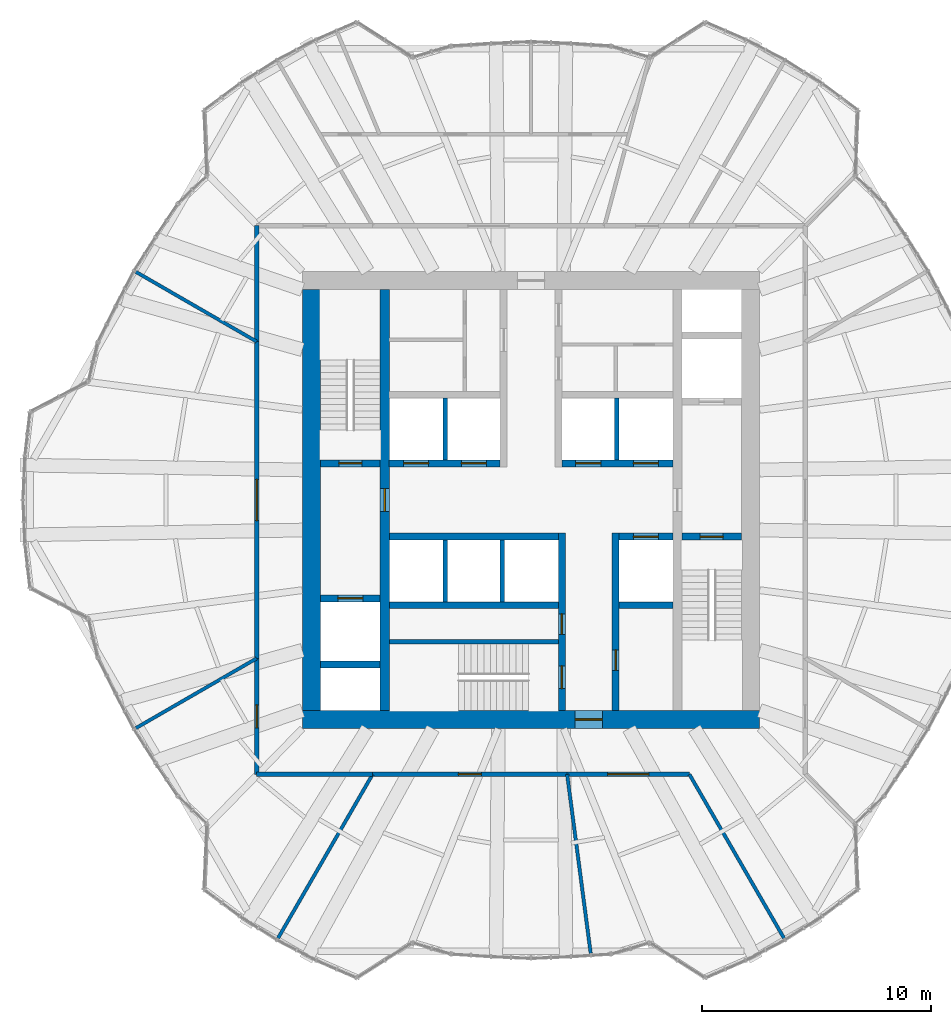
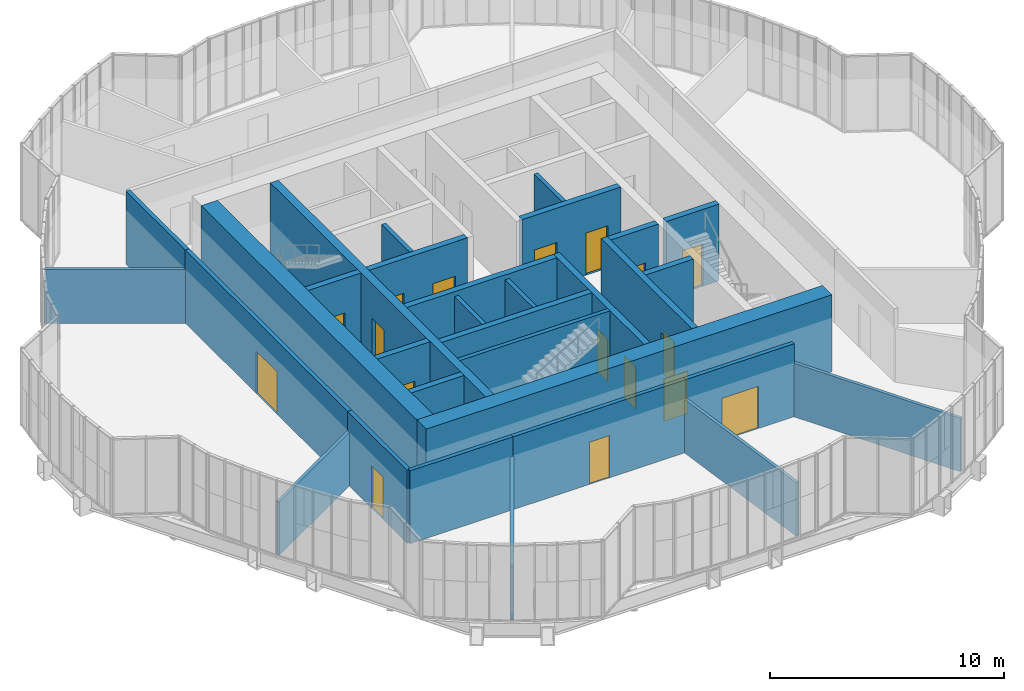
# One storey, part 21 of 24: 31 walls, 17 doors, 17 openings.
"""IFC4 building model written with IfcOpenShell, lengths in metres."""

from ifc_helpers import new_model, si_unit, direction, frame, frame_2d, origin, place, context, subcontext, project, spatial, rectangle, extrude, material, layer, layer_set, type_object, element, fill, save


model = new_model("IFC4")

# Units and contexts
model_context = context("Model", 3, precision=1e-05, world=origin(), true_north=direction((0.0, 1.0)))
body_context = subcontext(model_context, "Body", "Model", "MODEL_VIEW")
ifc_project = project(units=[si_unit("LENGTHUNIT", "METRE"), si_unit("AREAUNIT", "SQUARE_METRE"), si_unit("VOLUMEUNIT", "CUBIC_METRE"), si_unit("PLANEANGLEUNIT", "RADIAN"), si_unit("MASSUNIT", "GRAM", prefix="KILO")], contexts=[model_context])

# Site, building, storey
site_placement = place(None, origin())
site = spatial("IfcSite", under=ifc_project, at=site_placement, CompositionType="ELEMENT")
building_placement = place(site_placement, origin())
building = spatial("IfcBuilding", under=site, at=building_placement, Name="Golbaran Civic Tower", CompositionType="ELEMENT")
storey_placement = place(building_placement, frame((0.0, 0.0, 25.0)))
storey = spatial("IfcBuildingStorey", under=building, at=storey_placement, Name="L05", CompositionType="ELEMENT", Elevation=25.0)

# Wall, opening, door
ifc_material_1 = material(Name="Concrete C50/60", Category="concrete")
ifc_layer_1 = layer(ifc_material_1, 0.39990234375, Name="Concrete C50/60")
ifc_layer_set_1 = layer_set([ifc_layer_1], Name="Concrete C50/60")
wall_type_1 = type_object("IfcWallType", Name="CORE WALL CONCRETE 400", PredefinedType="SOLIDWALL", material=ifc_layer_set_1)
wall_1_placement = place(storey_placement, frame((-6.39990234375, -9.199951171875, 0.0), z_axis=(0.0, 0.0, 1.0), x_axis=(0.0, 1.0, 0.0)))
wall_1 = element("IfcWall", 1, at=wall_1_placement, inside=storey, type_object=wall_type_1, Name="Core wall IW L05", PredefinedType="SOLIDWALL", context=body_context, shape_type="SweptSolid", body=[
    extrude(rectangle(XDim=18.39990234375, YDim=0.39990234375, at=frame_2d((9.199951171875, 0.0))), origin(), (0.0, 0.0, 1.0), 4.0),
])
opening_1_placement = place(wall_1_placement, frame((8.699951171875, 0.0, 0.0)))
opening_1 = element("IfcOpeningElement", 2, at=opening_1_placement, cuts=wall_1, Name="Opening L05.FL1", PredefinedType="OPENING", context=body_context, shape_type="SweptSolid", body=[
    extrude(rectangle(XDim=1.0, YDim=2.199951171875, at=frame_2d((0.5, 1.10009765625))), frame((0.0, 0.2099609375, 0.0), z_axis=(0.0, -1.0, 0.0), x_axis=(1.0, 0.0, 0.0)), (0.0, 0.0, 1.0), 0.419921875),
])
ifc_material_2 = material(Name="Timber door set in steel frame", Category="steel")
door_type_1 = type_object("IfcDoorType", Name="STAIR DOOR 1000x2200", OperationType="SINGLE_SWING_LEFT", PredefinedType="DOOR", material=ifc_material_2)
door_1_placement = place(opening_1_placement, origin())
door_1 = element("IfcDoor", 3, at=door_1_placement, inside=storey, type_object=door_type_1, Name="Fire-fighting lobby FL1 door", OperationType="SINGLE_SWING_LEFT", OverallHeight=2.199951171875, OverallWidth=1.0, PredefinedType="DOOR", context=body_context, shape_type="SweptSolid", body=[
    extrude(rectangle(XDim=1.0, YDim=2.199951171875, at=frame_2d((0.5, 1.10009765625))), frame((0.0, 0.02490234375, 0.0), z_axis=(0.0, -1.0, 0.0), x_axis=(1.0, 0.0, 0.0)), (0.0, 0.0, 1.0), 0.050048828125),
])
fill(opening_1, door_1)

ifc_layer_2 = layer(ifc_material_1, 0.800048828125, Name="Concrete C50/60")
ifc_layer_set_2 = layer_set([ifc_layer_2], Name="Concrete C50/60")
wall_type_2 = type_object("IfcWallType", Name="CORE WALL CONCRETE 800", PredefinedType="SOLIDWALL", material=ifc_layer_set_2)
wall_2_placement = place(storey_placement, frame((10.0, -9.60009765625, 0.0), z_axis=(0.0, 0.0, 1.0), x_axis=(-1.0, 0.0, 0.0)))
wall_2 = element("IfcWall", 4, at=wall_2_placement, inside=storey, type_object=wall_type_2, Name="Core wall CS L05", PredefinedType="SOLIDWALL", context=body_context, shape_type="SweptSolid", body=[
    extrude(rectangle(XDim=20.0, YDim=0.800048828125, at=frame_2d((10.0, 0.0))), origin(), (0.0, 0.0, 1.0), 4.0),
])
opening_2_placement = place(wall_2_placement, frame((6.875, 0.0, 0.0)))
opening_2 = element("IfcOpeningElement", 5, at=opening_2_placement, cuts=wall_2, Name="Opening L05.CS", PredefinedType="OPENING", context=body_context, shape_type="SweptSolid", body=[
    extrude(rectangle(XDim=1.199951171875, YDim=2.199951171875, at=frame_2d((0.60009765625, 1.10009765625))), frame((0.0, 0.409912109375, 0.0), z_axis=(0.0, -1.0, 0.0), x_axis=(1.0, 0.0, 0.0)), (0.0, 0.0, 1.0), 0.820068359375),
])
door_type_2 = type_object("IfcDoorType", Name="CORE DOOR 1200x2200", OperationType="DOUBLE_DOOR_SINGLE_SWING", PredefinedType="DOOR", material=ifc_material_2)
door_2_placement = place(opening_2_placement, origin())
door_2 = element("IfcDoor", 6, at=door_2_placement, inside=storey, type_object=door_type_2, Name="Core door south", OperationType="DOUBLE_DOOR_SINGLE_SWING", OverallHeight=2.199951171875, OverallWidth=1.199951171875, PredefinedType="DOOR", context=body_context, shape_type="SweptSolid", body=[
    extrude(rectangle(XDim=1.199951171875, YDim=2.199951171875, at=frame_2d((0.60009765625, 1.10009765625))), frame((0.0, 0.02490234375, 0.0), z_axis=(0.0, -1.0, 0.0), x_axis=(1.0, 0.0, 0.0)), (0.0, 0.0, 1.0), 0.050048828125),
])
fill(opening_2, door_2)

# Walls
wall_3_placement = place(storey_placement, frame((-9.60009765625, 9.199951171875, 0.0), z_axis=(0.0, 0.0, 1.0), x_axis=(0.0, -1.0, 0.0)))
element("IfcWall", 7, at=wall_3_placement, inside=storey, type_object=wall_type_2, Name="Core wall CW L05", PredefinedType="SOLIDWALL", context=body_context, shape_type="SweptSolid", body=[
    extrude(rectangle(XDim=18.39990234375, YDim=0.800048828125, at=frame_2d((9.199951171875, 0.0))), origin(), (0.0, 0.0, 1.0), 4.0),
])
ifc_material_3 = material(Name="Gypsum board on steel studs, fire-rated", Category="steel")
ifc_layer_3 = layer(ifc_material_3, 0.199951171875, Name="Gypsum board on steel studs, fire-rated")
ifc_layer_set_3 = layer_set([ifc_layer_3], Name="Gypsum board on steel studs, fire-rated")
wall_type_3 = type_object("IfcWallType", Name="CORRIDOR WALL 200", PredefinedType="PARTITIONING", material=ifc_layer_set_3)
wall_4_placement = place(storey_placement, frame((-12.0, 12.0, 0.0), z_axis=(0.0, 0.0, 1.0), x_axis=(0.0, -1.0, 0.0)))
element("IfcWall", 8, at=wall_4_placement, inside=storey, type_object=wall_type_3, Name="Corridor wall L05", PredefinedType="PARTITIONING", context=body_context, shape_type="SweptSolid", body=[
    extrude(rectangle(XDim=5.07177734375, YDim=0.199951171875, at=frame_2d((2.535888671875, 0.0))), origin(), (0.0, 0.0, 1.0), 3.800048828125),
])

# Wall, opening, door
wall_5_placement = place(storey_placement, frame((-12.0, 6.92822265625, 0.0), z_axis=(0.0, 0.0, 1.0), x_axis=(0.0, -1.0, 0.0)))
wall_5 = element("IfcWall", 9, at=wall_5_placement, inside=storey, type_object=wall_type_3, Name="Corridor wall L05", PredefinedType="PARTITIONING", context=body_context, shape_type="SweptSolid", body=[
    extrude(rectangle(XDim=13.8564453125, YDim=0.199951171875, at=frame_2d((6.92822265625, 0.0))), origin(), (0.0, 0.0, 1.0), 3.800048828125),
])
opening_3_placement = place(wall_5_placement, frame((6.0283203125, 0.0, 0.0)))
opening_3 = element("IfcOpeningElement", 10, at=opening_3_placement, cuts=wall_5, Name="Opening L05.11", PredefinedType="OPENING", context=body_context, shape_type="SweptSolid", body=[
    extrude(rectangle(XDim=1.800048828125, YDim=2.199951171875, at=frame_2d((0.89990234375, 1.10009765625))), frame((0.0, 0.10986328125, 0.0), z_axis=(0.0, -1.0, 0.0), x_axis=(1.0, 0.0, 0.0)), (0.0, 0.0, 1.0), 0.219970703125),
])
door_type_3 = type_object("IfcDoorType", Name="OFFICE DOUBLE DOOR 1800x2200", OperationType="DOUBLE_DOOR_SINGLE_SWING", PredefinedType="DOOR", material=ifc_material_2)
door_3_placement = place(opening_3_placement, origin())
door_3 = element("IfcDoor", 11, at=door_3_placement, inside=storey, type_object=door_type_3, Name="Interview Room door L05", OperationType="DOUBLE_DOOR_SINGLE_SWING", OverallHeight=2.199951171875, OverallWidth=1.800048828125, PredefinedType="DOOR", context=body_context, shape_type="SweptSolid", body=[
    extrude(rectangle(XDim=1.800048828125, YDim=2.199951171875, at=frame_2d((0.89990234375, 1.10009765625))), frame((0.0, 0.02490234375, 0.0), z_axis=(0.0, -1.0, 0.0), x_axis=(1.0, 0.0, 0.0)), (0.0, 0.0, 1.0), 0.050048828125),
])
fill(opening_3, door_3)

wall_6_placement = place(storey_placement, frame((-12.0, -6.92822265625, 0.0), z_axis=(0.0, 0.0, 1.0), x_axis=(0.0, -1.0, 0.0)))
wall_6 = element("IfcWall", 12, at=wall_6_placement, inside=storey, type_object=wall_type_3, Name="Corridor wall L05", PredefinedType="PARTITIONING", context=body_context, shape_type="SweptSolid", body=[
    extrude(rectangle(XDim=5.07177734375, YDim=0.199951171875, at=frame_2d((2.535888671875, 0.0))), origin(), (0.0, 0.0, 1.0), 3.800048828125),
])
opening_4_placement = place(wall_6_placement, frame((2.035888671875, 0.0, 0.0)))
opening_4 = element("IfcOpeningElement", 13, at=opening_4_placement, cuts=wall_6, Name="Opening L05.12", PredefinedType="OPENING", context=body_context, shape_type="SweptSolid", body=[
    extrude(rectangle(XDim=1.0, YDim=2.199951171875, at=frame_2d((0.5, 1.10009765625))), frame((0.0, 0.10986328125, 0.0), z_axis=(0.0, -1.0, 0.0), x_axis=(1.0, 0.0, 0.0)), (0.0, 0.0, 1.0), 0.219970703125),
])
door_type_4 = type_object("IfcDoorType", Name="OFFICE DOOR 1000x2200", OperationType="SINGLE_SWING_LEFT", PredefinedType="DOOR", material=ifc_material_2)
door_4_placement = place(opening_4_placement, origin())
door_4 = element("IfcDoor", 14, at=door_4_placement, inside=storey, type_object=door_type_4, Name="File Room door L05", OperationType="SINGLE_SWING_RIGHT", OverallHeight=2.199951171875, OverallWidth=1.0, PredefinedType="DOOR", context=body_context, shape_type="SweptSolid", body=[
    extrude(rectangle(XDim=1.0, YDim=2.199951171875, at=frame_2d((0.5, 1.10009765625))), frame((0.0, 0.02490234375, 0.0), z_axis=(0.0, -1.0, 0.0), x_axis=(1.0, 0.0, 0.0)), (0.0, 0.0, 1.0), 0.050048828125),
])
fill(opening_4, door_4)

# Wall
wall_7_placement = place(storey_placement, frame((-12.0, -12.0, 0.0), z_axis=(0.0, 0.0, 1.0), x_axis=(1.0, 0.0, 0.0)))
element("IfcWall", 15, at=wall_7_placement, inside=storey, type_object=wall_type_3, Name="Corridor wall L05", PredefinedType="PARTITIONING", context=body_context, shape_type="SweptSolid", body=[
    extrude(rectangle(XDim=5.07177734375, YDim=0.199951171875, at=frame_2d((2.535888671875, 0.0))), origin(), (0.0, 0.0, 1.0), 3.800048828125),
])

# Wall, opening, door
wall_8_placement = place(storey_placement, frame((-6.92822265625, -12.0, 0.0), z_axis=(0.0, 0.0, 1.0), x_axis=(1.0, 0.0, 0.0)))
wall_8 = element("IfcWall", 16, at=wall_8_placement, inside=storey, type_object=wall_type_3, Name="Corridor wall L05", PredefinedType="PARTITIONING", context=body_context, shape_type="SweptSolid", body=[
    extrude(rectangle(XDim=8.508056640625, YDim=0.199951171875, at=frame_2d((4.25390625, 0.0))), origin(), (0.0, 0.0, 1.0), 3.800048828125),
])
opening_5_placement = place(wall_8_placement, frame((3.75390625, 0.0, 0.0)))
opening_5 = element("IfcOpeningElement", 17, at=opening_5_placement, cuts=wall_8, Name="Opening L05.13", PredefinedType="OPENING", context=body_context, shape_type="SweptSolid", body=[
    extrude(rectangle(XDim=1.0, YDim=2.199951171875, at=frame_2d((0.5, 1.10009765625))), frame((0.0, 0.10986328125, 0.0), z_axis=(0.0, -1.0, 0.0), x_axis=(1.0, 0.0, 0.0)), (0.0, 0.0, 1.0), 0.219970703125),
])
door_5_placement = place(opening_5_placement, origin())
door_5 = element("IfcDoor", 18, at=door_5_placement, inside=storey, type_object=door_type_4, Name="File Room door L05", OperationType="SINGLE_SWING_LEFT", OverallHeight=2.199951171875, OverallWidth=1.0, PredefinedType="DOOR", context=body_context, shape_type="SweptSolid", body=[
    extrude(rectangle(XDim=1.0, YDim=2.199951171875, at=frame_2d((0.5, 1.10009765625))), frame((0.0, 0.02490234375, 0.0), z_axis=(0.0, -1.0, 0.0), x_axis=(1.0, 0.0, 0.0)), (0.0, 0.0, 1.0), 0.050048828125),
])
fill(opening_5, door_5)

wall_9_placement = place(storey_placement, frame((1.579833984375, -12.0, 0.0), z_axis=(0.0, 0.0, 1.0), x_axis=(1.0, 0.0, 0.0)))
wall_9 = element("IfcWall", 19, at=wall_9_placement, inside=storey, type_object=wall_type_3, Name="Corridor wall L05", PredefinedType="PARTITIONING", context=body_context, shape_type="SweptSolid", body=[
    extrude(rectangle(XDim=5.348388671875, YDim=0.199951171875, at=frame_2d((2.67431640625, 0.0))), origin(), (0.0, 0.0, 1.0), 3.800048828125),
])
opening_6_placement = place(wall_9_placement, frame((1.774169921875, 0.0, 0.0)))
opening_6 = element("IfcOpeningElement", 20, at=opening_6_placement, cuts=wall_9, Name="Opening L05.14", PredefinedType="OPENING", context=body_context, shape_type="SweptSolid", body=[
    extrude(rectangle(XDim=1.800048828125, YDim=2.199951171875, at=frame_2d((0.89990234375, 1.10009765625))), frame((0.0, 0.10986328125, 0.0), z_axis=(0.0, -1.0, 0.0), x_axis=(1.0, 0.0, 0.0)), (0.0, 0.0, 1.0), 0.219970703125),
])
door_6_placement = place(opening_6_placement, origin())
door_6 = element("IfcDoor", 21, at=door_6_placement, inside=storey, type_object=door_type_3, Name="Open Office door L05", OperationType="DOUBLE_DOOR_SINGLE_SWING", OverallHeight=2.199951171875, OverallWidth=1.800048828125, PredefinedType="DOOR", context=body_context, shape_type="SweptSolid", body=[
    extrude(rectangle(XDim=1.800048828125, YDim=2.199951171875, at=frame_2d((0.89990234375, 1.10009765625))), frame((0.0, 0.02490234375, 0.0), z_axis=(0.0, -1.0, 0.0), x_axis=(1.0, 0.0, 0.0)), (0.0, 0.0, 1.0), 0.050048828125),
])
fill(opening_6, door_6)

# Walls
ifc_material_4 = material(Name="Concrete block", Category="concrete")
ifc_layer_4 = layer(ifc_material_4, 0.199951171875, Name="Concrete block")
ifc_layer_set_4 = layer_set([ifc_layer_4], Name="Concrete block")
wall_type_4 = type_object("IfcWallType", Name="LIFT SEPARATOR WALL 200", PredefinedType="SOLIDWALL", material=ifc_layer_set_4)
for number, where, z_axis, x_axis, name in (
    (22, (-3.75, 1.75, 0.0), (0.0, 0.0, 1.0), (0.0, 1.0, 0.0), "Core partition SNW L05"),
    (23, (3.75, 1.75, 0.0), (0.0, 0.0, 1.0), (0.0, 1.0, 0.0), "Core partition SNE L05"),
    (24, (-3.75, -1.75, 0.0), (0.0, 0.0, 1.0), (0.0, -1.0, 0.0), "Core partition SSW L05"),
    (25, (-1.25, -1.75, 0.0), (0.0, 0.0, 1.0), (0.0, -1.0, 0.0), "Core partition SSM L05"),
):
    element("IfcWall", number, at=place(storey_placement, frame(where, z_axis=z_axis, x_axis=x_axis)), inside=storey, type_object=wall_type_4, Name=name, PredefinedType="SOLIDWALL", context=body_context, shape_type="SweptSolid", body=[
        extrude(rectangle(XDim=2.699951171875, YDim=0.199951171875, at=frame_2d((1.35009765625, 0.0))), origin(), (0.0, 0.0, 1.0), 3.75),
    ])
ifc_material_5 = material(Name="Gypsum board on steel studs", Category="steel")
ifc_layer_5 = layer(ifc_material_5, 0.14990234375, Name="Gypsum board on steel studs")
ifc_layer_set_5 = layer_set([ifc_layer_5], Name="Gypsum board on steel studs")
wall_type_5 = type_object("IfcWallType", Name="OFFICE PARTITION 150", PredefinedType="PARTITIONING", material=ifc_layer_set_5)
for number, where, z_axis, x_axis, name in (
    (26, (-12.0, 6.92822265625, 0.0), (0.0, 0.0, 1.0), (-0.866024937074, 0.500000808366, 0.0), "Partition 150 L05"),
    (27, (-12.0, -6.92822265625, 0.0), (0.0, 0.0, 1.0), (-0.866024937074, -0.500000808366, 0.0), "Partition 210 L05"),
):
    element("IfcWall", number, at=place(storey_placement, frame(where, z_axis=z_axis, x_axis=x_axis)), inside=storey, type_object=wall_type_5, Name=name, PredefinedType="PARTITIONING", context=body_context, shape_type="SweptSolid", body=[
        extrude(rectangle(XDim=6.09912109375, YDim=0.14990234375, at=frame_2d((3.049560546875, 0.0))), origin(), (0.0, 0.0, 1.0), 2.7900390625),
    ])
wall_10_placement = place(storey_placement, frame((-6.92822265625, -12.0, 0.0), z_axis=(0.0, 0.0, 1.0), x_axis=(-0.499988970207, -0.866031771745, 0.0)))
element("IfcWall", 28, at=wall_10_placement, inside=storey, type_object=wall_type_5, Name="Partition 240 L05", PredefinedType="PARTITIONING", context=body_context, shape_type="SweptSolid", body=[
    extrude(rectangle(XDim=8.273193359375, YDim=0.14990234375, at=frame_2d((4.13671875, 0.0))), origin(), (0.0, 0.0, 1.0), 2.7900390625),
])
wall_11_placement = place(storey_placement, frame((1.579833984375, -12.0, 0.0), z_axis=(0.0, 0.0, 1.0), x_axis=(0.130512127361, -0.991446712946, 0.0)))
element("IfcWall", 29, at=wall_11_placement, inside=storey, type_object=wall_type_5, Name="Partition 277.5 L05", PredefinedType="PARTITIONING", context=body_context, shape_type="SweptSolid", body=[
    extrude(rectangle(XDim=7.89208984375, YDim=0.14990234375, at=frame_2d((3.946044921875, 0.0))), origin(), (0.0, 0.0, 1.0), 2.7900390625),
])
wall_12_placement = place(storey_placement, frame((6.92822265625, -12.0, 0.0), z_axis=(0.0, 0.0, 1.0), x_axis=(0.499988970207, -0.866031771745, 0.0)))
element("IfcWall", 30, at=wall_12_placement, inside=storey, type_object=wall_type_5, Name="Partition 300 L05", PredefinedType="PARTITIONING", context=body_context, shape_type="SweptSolid", body=[
    extrude(rectangle(XDim=8.273193359375, YDim=0.14990234375, at=frame_2d((4.13671875, 0.0))), origin(), (0.0, 0.0, 1.0), 2.7900390625),
])
ifc_layer_6 = layer(ifc_material_1, 0.199951171875, Name="Concrete C50/60")
ifc_layer_set_6 = layer_set([ifc_layer_6], Name="Concrete C50/60")
wall_type_6 = type_object("IfcWallType", Name="SHAFT WALL CONCRETE 200", PredefinedType="SOLIDWALL", material=ifc_layer_set_6)
wall_13_placement = place(storey_placement, frame((-6.199951171875, -6.199951171875, 0.0), z_axis=(0.0, 0.0, 1.0), x_axis=(1.0, 0.0, 0.0)))
element("IfcWall", 31, at=wall_13_placement, inside=storey, type_object=wall_type_6, Name="Core wall S3N L05", PredefinedType="SOLIDWALL", context=body_context, shape_type="SweptSolid", body=[
    extrude(rectangle(XDim=7.39990234375, YDim=0.199951171875, at=frame_2d((3.699951171875, 0.0))), origin(), (0.0, 0.0, 1.0), 4.0),
])

# Wall, openings, doors
ifc_layer_7 = layer(ifc_material_1, 0.300048828125, Name="Concrete C50/60")
ifc_layer_set_7 = layer_set([ifc_layer_7], Name="Concrete C50/60")
wall_type_7 = type_object("IfcWallType", Name="SHAFT WALL CONCRETE 300", PredefinedType="SOLIDWALL", material=ifc_layer_set_7)
wall_14_placement = place(storey_placement, frame((-6.199951171875, 1.60009765625, 0.0), z_axis=(0.0, 0.0, 1.0), x_axis=(1.0, 0.0, 0.0)))
wall_14 = element("IfcWall", 32, at=wall_14_placement, inside=storey, type_object=wall_type_7, Name="Core wall FNW L05", PredefinedType="SOLIDWALL", context=body_context, shape_type="SweptSolid", body=[
    extrude(rectangle(XDim=4.849853515625, YDim=0.300048828125, at=frame_2d((2.4248046875, 0.0))), origin(), (0.0, 0.0, 1.0), 4.0),
])
opening_7_placement = place(wall_14_placement, frame((0.625, 0.0, 0.0)))
opening_7 = element("IfcOpeningElement", 33, at=opening_7_placement, cuts=wall_14, Name="Opening L05.LD-Z1L", PredefinedType="OPENING", context=body_context, shape_type="SweptSolid", body=[
    extrude(rectangle(XDim=1.10009765625, YDim=2.199951171875, at=frame_2d((0.550048828125, 1.10009765625))), frame((0.0, 0.159912109375, 0.0), z_axis=(0.0, -1.0, 0.0), x_axis=(1.0, 0.0, 0.0)), (0.0, 0.0, 1.0), 0.320068359375),
])
opening_8_placement = place(wall_14_placement, frame((3.14990234375, 0.0, 0.0)))
opening_8 = element("IfcOpeningElement", 34, at=opening_8_placement, cuts=wall_14, Name="Opening L05.LD-Z2L", PredefinedType="OPENING", context=body_context, shape_type="SweptSolid", body=[
    extrude(rectangle(XDim=1.10009765625, YDim=2.199951171875, at=frame_2d((0.550048828125, 1.10009765625))), frame((0.0, 0.159912109375, 0.0), z_axis=(0.0, -1.0, 0.0), x_axis=(1.0, 0.0, 0.0)), (0.0, 0.0, 1.0), 0.320068359375),
])
ifc_material_6 = material(Name="Stainless steel", Category="steel")
door_type_5 = type_object("IfcDoorType", Name="LIFT LANDING DOOR 1100x2200", OperationType="SLIDING_TO_LEFT", PredefinedType="DOOR", material=ifc_material_6)
door_7_placement = place(opening_7_placement, origin())
door_7 = element("IfcDoor", 35, at=door_7_placement, inside=storey, type_object=door_type_5, Name="Lift landing door Z1L", OperationType="SLIDING_TO_LEFT", OverallHeight=2.199951171875, OverallWidth=1.10009765625, PredefinedType="DOOR", context=body_context, shape_type="SweptSolid", body=[
    extrude(rectangle(XDim=1.10009765625, YDim=2.199951171875, at=frame_2d((0.550048828125, 1.10009765625))), frame((0.0, 0.02490234375, 0.0), z_axis=(0.0, -1.0, 0.0), x_axis=(1.0, 0.0, 0.0)), (0.0, 0.0, 1.0), 0.050048828125),
])
fill(opening_7, door_7)
door_8_placement = place(opening_8_placement, origin())
door_8 = element("IfcDoor", 36, at=door_8_placement, inside=storey, type_object=door_type_5, Name="Lift landing door Z2L", OperationType="SLIDING_TO_LEFT", OverallHeight=2.199951171875, OverallWidth=1.10009765625, PredefinedType="DOOR", context=body_context, shape_type="SweptSolid", body=[
    extrude(rectangle(XDim=1.10009765625, YDim=2.199951171875, at=frame_2d((0.550048828125, 1.10009765625))), frame((0.0, 0.02490234375, 0.0), z_axis=(0.0, -1.0, 0.0), x_axis=(1.0, 0.0, 0.0)), (0.0, 0.0, 1.0), 0.050048828125),
])
fill(opening_8, door_8)

wall_15_placement = place(storey_placement, frame((1.35009765625, 1.60009765625, 0.0), z_axis=(0.0, 0.0, 1.0), x_axis=(1.0, 0.0, 0.0)))
wall_15 = element("IfcWall", 37, at=wall_15_placement, inside=storey, type_object=wall_type_7, Name="Core wall FNE L05", PredefinedType="SOLIDWALL", context=body_context, shape_type="SweptSolid", body=[
    extrude(rectangle(XDim=4.849853515625, YDim=0.300048828125, at=frame_2d((2.4248046875, 0.0))), origin(), (0.0, 0.0, 1.0), 4.0),
])
opening_9_placement = place(wall_15_placement, frame((0.60009765625, 0.0, 0.0)))
opening_9 = element("IfcOpeningElement", 38, at=opening_9_placement, cuts=wall_15, Name="Opening L05.LD-Z3L", PredefinedType="OPENING", context=body_context, shape_type="SweptSolid", body=[
    extrude(rectangle(XDim=1.10009765625, YDim=2.199951171875, at=frame_2d((0.550048828125, 1.10009765625))), frame((0.0, 0.159912109375, 0.0), z_axis=(0.0, -1.0, 0.0), x_axis=(1.0, 0.0, 0.0)), (0.0, 0.0, 1.0), 0.320068359375),
])
opening_10_placement = place(wall_15_placement, frame((3.125, 0.0, 0.0)))
opening_10 = element("IfcOpeningElement", 39, at=opening_10_placement, cuts=wall_15, Name="Opening L05.LD-Z4L", PredefinedType="OPENING", context=body_context, shape_type="SweptSolid", body=[
    extrude(rectangle(XDim=1.10009765625, YDim=2.199951171875, at=frame_2d((0.550048828125, 1.10009765625))), frame((0.0, 0.159912109375, 0.0), z_axis=(0.0, -1.0, 0.0), x_axis=(1.0, 0.0, 0.0)), (0.0, 0.0, 1.0), 0.320068359375),
])
door_9_placement = place(opening_9_placement, origin())
door_9 = element("IfcDoor", 40, at=door_9_placement, inside=storey, type_object=door_type_5, Name="Lift landing door Z3L", OperationType="SLIDING_TO_LEFT", OverallHeight=2.199951171875, OverallWidth=1.10009765625, PredefinedType="DOOR", context=body_context, shape_type="SweptSolid", body=[
    extrude(rectangle(XDim=1.10009765625, YDim=2.199951171875, at=frame_2d((0.550048828125, 1.10009765625))), frame((0.0, 0.02490234375, 0.0), z_axis=(0.0, -1.0, 0.0), x_axis=(1.0, 0.0, 0.0)), (0.0, 0.0, 1.0), 0.050048828125),
])
fill(opening_9, door_9)
door_10_placement = place(opening_10_placement, origin())
door_10 = element("IfcDoor", 41, at=door_10_placement, inside=storey, type_object=door_type_5, Name="Lift landing door Z4L", OperationType="SLIDING_TO_LEFT", OverallHeight=2.199951171875, OverallWidth=1.10009765625, PredefinedType="DOOR", context=body_context, shape_type="SweptSolid", body=[
    extrude(rectangle(XDim=1.10009765625, YDim=2.199951171875, at=frame_2d((0.550048828125, 1.10009765625))), frame((0.0, 0.02490234375, 0.0), z_axis=(0.0, -1.0, 0.0), x_axis=(1.0, 0.0, 0.0)), (0.0, 0.0, 1.0), 0.050048828125),
])
fill(opening_10, door_10)

# Wall
wall_16_placement = place(storey_placement, frame((-6.199951171875, -1.60009765625, 0.0), z_axis=(0.0, 0.0, 1.0), x_axis=(1.0, 0.0, 0.0)))
element("IfcWall", 42, at=wall_16_placement, inside=storey, type_object=wall_type_7, Name="Core wall FSW L05", PredefinedType="SOLIDWALL", context=body_context, shape_type="SweptSolid", body=[
    extrude(rectangle(XDim=7.39990234375, YDim=0.300048828125, at=frame_2d((3.699951171875, 0.0))), origin(), (0.0, 0.0, 1.0), 4.0),
])

# Wall, opening, door
wall_17_placement = place(storey_placement, frame((3.85009765625, -1.60009765625, 0.0), z_axis=(0.0, 0.0, 1.0), x_axis=(1.0, 0.0, 0.0)))
wall_17 = element("IfcWall", 43, at=wall_17_placement, inside=storey, type_object=wall_type_7, Name="Core wall FSE L05", PredefinedType="SOLIDWALL", context=body_context, shape_type="SweptSolid", body=[
    extrude(rectangle(XDim=2.349853515625, YDim=0.300048828125, at=frame_2d((1.1748046875, 0.0))), origin(), (0.0, 0.0, 1.0), 4.0),
])
opening_11_placement = place(wall_17_placement, frame((0.625, 0.0, 0.0)))
opening_11 = element("IfcOpeningElement", 44, at=opening_11_placement, cuts=wall_17, Name="Opening L05.LD-V1", PredefinedType="OPENING", context=body_context, shape_type="SweptSolid", body=[
    extrude(rectangle(XDim=1.10009765625, YDim=2.199951171875, at=frame_2d((0.550048828125, 1.10009765625))), frame((0.0, 0.159912109375, 0.0), z_axis=(0.0, -1.0, 0.0), x_axis=(1.0, 0.0, 0.0)), (0.0, 0.0, 1.0), 0.320068359375),
])
door_11_placement = place(opening_11_placement, origin())
door_11 = element("IfcDoor", 45, at=door_11_placement, inside=storey, type_object=door_type_5, Name="Lift landing door V1", OperationType="SLIDING_TO_LEFT", OverallHeight=2.199951171875, OverallWidth=1.10009765625, PredefinedType="DOOR", context=body_context, shape_type="SweptSolid", body=[
    extrude(rectangle(XDim=1.10009765625, YDim=2.199951171875, at=frame_2d((0.550048828125, 1.10009765625))), frame((0.0, 0.02490234375, 0.0), z_axis=(0.0, -1.0, 0.0), x_axis=(1.0, 0.0, 0.0)), (0.0, 0.0, 1.0), 0.050048828125),
])
fill(opening_11, door_11)

# Walls
wall_18_placement = place(storey_placement, frame((-6.199951171875, -4.60009765625, 0.0), z_axis=(0.0, 0.0, 1.0), x_axis=(1.0, 0.0, 0.0)))
element("IfcWall", 46, at=wall_18_placement, inside=storey, type_object=wall_type_7, Name="Core wall BSW L05", PredefinedType="SOLIDWALL", context=body_context, shape_type="SweptSolid", body=[
    extrude(rectangle(XDim=7.39990234375, YDim=0.300048828125, at=frame_2d((3.699951171875, 0.0))), origin(), (0.0, 0.0, 1.0), 4.0),
])
wall_19_placement = place(storey_placement, frame((3.85009765625, -4.60009765625, 0.0), z_axis=(0.0, 0.0, 1.0), x_axis=(1.0, 0.0, 0.0)))
element("IfcWall", 47, at=wall_19_placement, inside=storey, type_object=wall_type_7, Name="Core wall BSE L05", PredefinedType="SOLIDWALL", context=body_context, shape_type="SweptSolid", body=[
    extrude(rectangle(XDim=2.349853515625, YDim=0.300048828125, at=frame_2d((1.1748046875, 0.0))), origin(), (0.0, 0.0, 1.0), 4.0),
])

# Wall, openings, doors
wall_20_placement = place(storey_placement, frame((1.35009765625, -1.449951171875, 0.0), z_axis=(0.0, 0.0, 1.0), x_axis=(0.0, -1.0, 0.0)))
wall_20 = element("IfcWall", 48, at=wall_20_placement, inside=storey, type_object=wall_type_7, Name="Core wall PSW L05", PredefinedType="SOLIDWALL", context=body_context, shape_type="SweptSolid", body=[
    extrude(rectangle(XDim=7.75, YDim=0.300048828125, at=frame_2d((3.875, 0.0))), origin(), (0.0, 0.0, 1.0), 4.0),
])
opening_12_placement = place(wall_20_placement, frame((5.800048828125, 0.0, 0.0)))
opening_12 = element("IfcOpeningElement", 49, at=opening_12_placement, cuts=wall_20, Name="Opening L05.S3", PredefinedType="OPENING", context=body_context, shape_type="SweptSolid", body=[
    extrude(rectangle(XDim=1.0, YDim=2.199951171875, at=frame_2d((0.5, 1.10009765625))), frame((0.0, 0.159912109375, 0.0), z_axis=(0.0, -1.0, 0.0), x_axis=(1.0, 0.0, 0.0)), (0.0, 0.0, 1.0), 0.320068359375),
])
opening_13_placement = place(wall_20_placement, frame((3.52490234375, 0.0, 0.0)))
opening_13 = element("IfcOpeningElement", 50, at=opening_13_placement, cuts=wall_20, Name="Opening L05.RE", PredefinedType="OPENING", context=body_context, shape_type="SweptSolid", body=[
    extrude(rectangle(XDim=0.89990234375, YDim=2.199951171875, at=frame_2d((0.449951171875, 1.10009765625))), frame((0.0, 0.159912109375, 0.0), z_axis=(0.0, -1.0, 0.0), x_axis=(1.0, 0.0, 0.0)), (0.0, 0.0, 1.0), 0.320068359375),
])
door_type_6 = type_object("IfcDoorType", Name="RISER DOOR 900x2200", OperationType="SINGLE_SWING_LEFT", PredefinedType="DOOR", material=ifc_material_2)
door_12_placement = place(opening_13_placement, origin())
door_12 = element("IfcDoor", 51, at=door_12_placement, inside=storey, type_object=door_type_6, Name="Electrical riser door", OperationType="SINGLE_SWING_RIGHT", OverallHeight=2.199951171875, OverallWidth=0.89990234375, PredefinedType="DOOR", context=body_context, shape_type="SweptSolid", body=[
    extrude(rectangle(XDim=0.89990234375, YDim=2.199951171875, at=frame_2d((0.449951171875, 1.10009765625))), frame((0.0, 0.02490234375, 0.0), z_axis=(0.0, -1.0, 0.0), x_axis=(1.0, 0.0, 0.0)), (0.0, 0.0, 1.0), 0.050048828125),
])
fill(opening_13, door_12)
door_13_placement = place(opening_12_placement, origin())
door_13 = element("IfcDoor", 52, at=door_13_placement, inside=storey, type_object=door_type_1, Name="Stair S3 door", OperationType="SINGLE_SWING_RIGHT", OverallHeight=2.199951171875, OverallWidth=1.0, PredefinedType="DOOR", context=body_context, shape_type="SweptSolid", body=[
    extrude(rectangle(XDim=1.0, YDim=2.199951171875, at=frame_2d((0.5, 1.10009765625))), frame((0.0, 0.02490234375, 0.0), z_axis=(0.0, -1.0, 0.0), x_axis=(1.0, 0.0, 0.0)), (0.0, 0.0, 1.0), 0.050048828125),
])
fill(opening_12, door_13)

# Wall, opening, door
wall_21_placement = place(storey_placement, frame((3.699951171875, -1.449951171875, 0.0), z_axis=(0.0, 0.0, 1.0), x_axis=(0.0, -1.0, 0.0)))
wall_21 = element("IfcWall", 53, at=wall_21_placement, inside=storey, type_object=wall_type_7, Name="Core wall PSE L05", PredefinedType="SOLIDWALL", context=body_context, shape_type="SweptSolid", body=[
    extrude(rectangle(XDim=7.75, YDim=0.300048828125, at=frame_2d((3.875, 0.0))), origin(), (0.0, 0.0, 1.0), 4.0),
])
opening_14_placement = place(wall_21_placement, frame((5.10009765625, 0.0, 0.0)))
opening_14 = element("IfcOpeningElement", 54, at=opening_14_placement, cuts=wall_21, Name="Opening L05.RM", PredefinedType="OPENING", context=body_context, shape_type="SweptSolid", body=[
    extrude(rectangle(XDim=0.89990234375, YDim=2.199951171875, at=frame_2d((0.449951171875, 1.10009765625))), frame((0.0, 0.159912109375, 0.0), z_axis=(0.0, -1.0, 0.0), x_axis=(1.0, 0.0, 0.0)), (0.0, 0.0, 1.0), 0.320068359375),
])
door_14_placement = place(opening_14_placement, origin())
door_14 = element("IfcDoor", 55, at=door_14_placement, inside=storey, type_object=door_type_6, Name="Mechanical riser door", OperationType="SINGLE_SWING_RIGHT", OverallHeight=2.199951171875, OverallWidth=0.89990234375, PredefinedType="DOOR", context=body_context, shape_type="SweptSolid", body=[
    extrude(rectangle(XDim=0.89990234375, YDim=2.199951171875, at=frame_2d((0.449951171875, 1.10009765625))), frame((0.0, 0.02490234375, 0.0), z_axis=(0.0, -1.0, 0.0), x_axis=(1.0, 0.0, 0.0)), (0.0, 0.0, 1.0), 0.050048828125),
])
fill(opening_14, door_14)

wall_22_placement = place(storey_placement, frame((-9.199951171875, 1.60009765625, 0.0), z_axis=(0.0, 0.0, 1.0), x_axis=(1.0, 0.0, 0.0)))
wall_22 = element("IfcWall", 56, at=wall_22_placement, inside=storey, type_object=wall_type_7, Name="Core wall XW1 L05", PredefinedType="SOLIDWALL", context=body_context, shape_type="SweptSolid", body=[
    extrude(rectangle(XDim=2.599853515625, YDim=0.300048828125, at=frame_2d((1.2998046875, 0.0))), origin(), (0.0, 0.0, 1.0), 4.0),
])
opening_15_placement = place(wall_22_placement, frame((0.800048828125, 0.0, 0.0)))
opening_15 = element("IfcOpeningElement", 57, at=opening_15_placement, cuts=wall_22, Name="Opening L05.S1", PredefinedType="OPENING", context=body_context, shape_type="SweptSolid", body=[
    extrude(rectangle(XDim=1.0, YDim=2.199951171875, at=frame_2d((0.5, 1.10009765625))), frame((0.0, 0.159912109375, 0.0), z_axis=(0.0, -1.0, 0.0), x_axis=(1.0, 0.0, 0.0)), (0.0, 0.0, 1.0), 0.320068359375),
])
door_15_placement = place(opening_15_placement, origin())
door_15 = element("IfcDoor", 58, at=door_15_placement, inside=storey, type_object=door_type_1, Name="Stair S1 door", OperationType="SINGLE_SWING_LEFT", OverallHeight=2.199951171875, OverallWidth=1.0, PredefinedType="DOOR", context=body_context, shape_type="SweptSolid", body=[
    extrude(rectangle(XDim=1.0, YDim=2.199951171875, at=frame_2d((0.5, 1.10009765625))), frame((0.0, 0.02490234375, 0.0), z_axis=(0.0, -1.0, 0.0), x_axis=(1.0, 0.0, 0.0)), (0.0, 0.0, 1.0), 0.050048828125),
])
fill(opening_15, door_15)

wall_23_placement = place(storey_placement, frame((6.60009765625, -1.60009765625, 0.0), z_axis=(0.0, 0.0, 1.0), x_axis=(1.0, 0.0, 0.0)))
wall_23 = element("IfcWall", 59, at=wall_23_placement, inside=storey, type_object=wall_type_7, Name="Core wall XE1 L05", PredefinedType="SOLIDWALL", context=body_context, shape_type="SweptSolid", body=[
    extrude(rectangle(XDim=2.599853515625, YDim=0.300048828125, at=frame_2d((1.2998046875, 0.0))), origin(), (0.0, 0.0, 1.0), 4.0),
])
opening_16_placement = place(wall_23_placement, frame((0.800048828125, 0.0, 0.0)))
opening_16 = element("IfcOpeningElement", 60, at=opening_16_placement, cuts=wall_23, Name="Opening L05.S2", PredefinedType="OPENING", context=body_context, shape_type="SweptSolid", body=[
    extrude(rectangle(XDim=1.0, YDim=2.199951171875, at=frame_2d((0.5, 1.10009765625))), frame((0.0, 0.159912109375, 0.0), z_axis=(0.0, -1.0, 0.0), x_axis=(1.0, 0.0, 0.0)), (0.0, 0.0, 1.0), 0.320068359375),
])
door_16_placement = place(opening_16_placement, origin())
door_16 = element("IfcDoor", 61, at=door_16_placement, inside=storey, type_object=door_type_1, Name="Stair S2 door", OperationType="SINGLE_SWING_LEFT", OverallHeight=2.199951171875, OverallWidth=1.0, PredefinedType="DOOR", context=body_context, shape_type="SweptSolid", body=[
    extrude(rectangle(XDim=1.0, YDim=2.199951171875, at=frame_2d((0.5, 1.10009765625))), frame((0.0, 0.02490234375, 0.0), z_axis=(0.0, -1.0, 0.0), x_axis=(1.0, 0.0, 0.0)), (0.0, 0.0, 1.0), 0.050048828125),
])
fill(opening_16, door_16)

wall_24_placement = place(storey_placement, frame((-9.199951171875, -4.300048828125, 0.0), z_axis=(0.0, 0.0, 1.0), x_axis=(1.0, 0.0, 0.0)))
wall_24 = element("IfcWall", 62, at=wall_24_placement, inside=storey, type_object=wall_type_7, Name="Core wall XW2 L05", PredefinedType="SOLIDWALL", context=body_context, shape_type="SweptSolid", body=[
    extrude(rectangle(XDim=2.599853515625, YDim=0.300048828125, at=frame_2d((1.2998046875, 0.0))), origin(), (0.0, 0.0, 1.0), 4.0),
])
opening_17_placement = place(wall_24_placement, frame((0.75, 0.0, 0.0)))
opening_17 = element("IfcOpeningElement", 63, at=opening_17_placement, cuts=wall_24, Name="Opening L05.LD-F1", PredefinedType="OPENING", context=body_context, shape_type="SweptSolid", body=[
    extrude(rectangle(XDim=1.10009765625, YDim=2.199951171875, at=frame_2d((0.550048828125, 1.10009765625))), frame((0.0, 0.159912109375, 0.0), z_axis=(0.0, -1.0, 0.0), x_axis=(1.0, 0.0, 0.0)), (0.0, 0.0, 1.0), 0.320068359375),
])
door_17_placement = place(opening_17_placement, origin())
door_17 = element("IfcDoor", 64, at=door_17_placement, inside=storey, type_object=door_type_5, Name="Lift landing door F1", OperationType="SLIDING_TO_LEFT", OverallHeight=2.199951171875, OverallWidth=1.10009765625, PredefinedType="DOOR", context=body_context, shape_type="SweptSolid", body=[
    extrude(rectangle(XDim=1.10009765625, YDim=2.199951171875, at=frame_2d((0.550048828125, 1.10009765625))), frame((0.0, 0.02490234375, 0.0), z_axis=(0.0, -1.0, 0.0), x_axis=(1.0, 0.0, 0.0)), (0.0, 0.0, 1.0), 0.050048828125),
])
fill(opening_17, door_17)

# Wall
wall_25_placement = place(storey_placement, frame((-9.199951171875, -7.199951171875, 0.0), z_axis=(0.0, 0.0, 1.0), x_axis=(1.0, 0.0, 0.0)))
element("IfcWall", 65, at=wall_25_placement, inside=storey, type_object=wall_type_7, Name="Core wall XW3 L05", PredefinedType="SOLIDWALL", context=body_context, shape_type="SweptSolid", body=[
    extrude(rectangle(XDim=2.599853515625, YDim=0.300048828125, at=frame_2d((1.2998046875, 0.0))), origin(), (0.0, 0.0, 1.0), 4.0),
])

save(model, "model.ifc")
